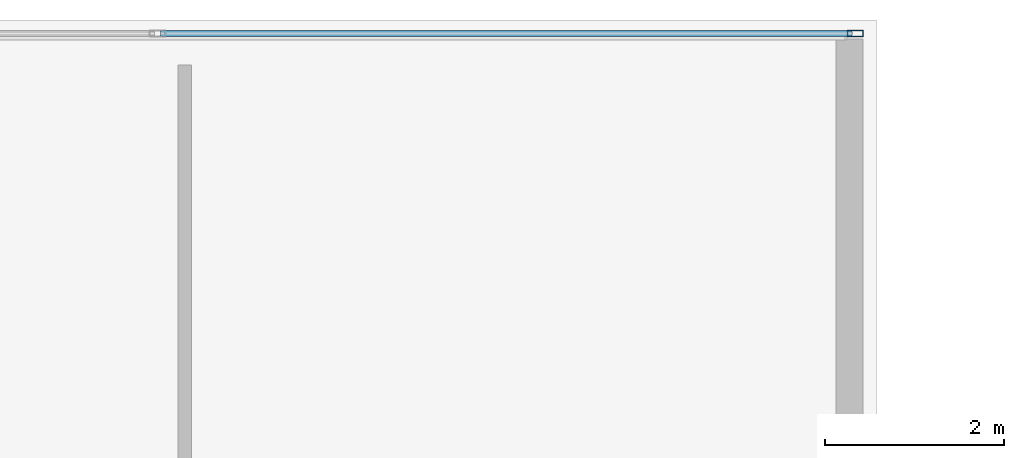
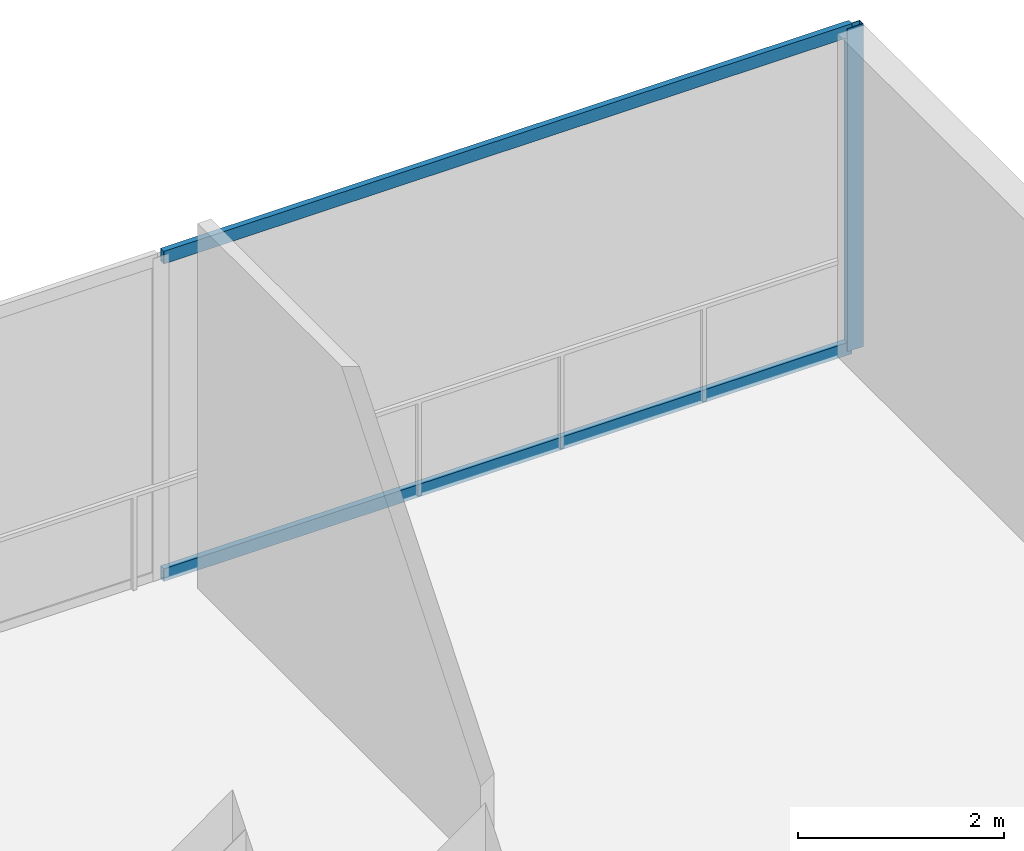
# One storey, part 6 of 15: 3 members, 1 element without a shape of its own.
"""IFC4 building model written with IfcOpenShell, lengths in metres."""

from ifc_helpers import new_model, si_unit, direction, frame, origin, origin_2d, place, context, subcontext, project, spatial, hollow_rectangle, extrude, source, transform, mapped, material, layer, layer_set, material_profile, profile_set, type_object, element, aggregate, save


model = new_model("IFC4")

# Units and contexts
model_context = context("Model", 3, precision=1e-05, world=origin(), true_north=direction((0.0, 1.0)))
body_context = subcontext(model_context, "Body", "Model", "MODEL_VIEW")
ifc_project = project(units=[si_unit("LENGTHUNIT", "METRE"), si_unit("AREAUNIT", "SQUARE_METRE"), si_unit("VOLUMEUNIT", "CUBIC_METRE"), si_unit("PLANEANGLEUNIT", "RADIAN"), si_unit("MASSUNIT", "GRAM", prefix="KILO")], contexts=[model_context])

# Site, building, storey
site_placement = place(None, origin())
site = spatial("IfcSite", under=ifc_project, at=site_placement, CompositionType="ELEMENT")
building_placement = place(site_placement, origin())
building = spatial("IfcBuilding", under=site, at=building_placement, Name="Sumidabori Civic Tower", CompositionType="ELEMENT")
storey_placement = place(building_placement, frame((0.0, 0.0, 14.300048828125)))
storey = spatial("IfcBuildingStorey", under=building, at=storey_placement, Name="L03", CompositionType="ELEMENT", Elevation=14.300048828125)

# Curtain wall, members
ifc_material = material(Name="Anodised Bronze Aluminium AW-6063-T6", Category="aluminium")
ifc_layer = layer(ifc_material, 0.179931640625, Name="Anodised Bronze Aluminium AW-6063-T6")
ifc_layer_set = layer_set([ifc_layer], Name="Anodised Bronze Aluminium AW-6063-T6")
curtain_wall_type = type_object("IfcCurtainWallType", Name="CW-SYS-1", PredefinedType="NOTDEFINED", material=ifc_layer_set)
curtain_wall_placement = place(storey_placement, origin())
curtain_wall = element("IfcCurtainWall", 1, at=curtain_wall_placement, inside=storey, type_object=curtain_wall_type, Name="Curtain Wall CW:L03:NORTH", PredefinedType="NOTDEFINED")
ifc_material_profile_1 = material_profile(ifc_material, hollow_rectangle(XDim=0.070068359375, YDim=0.179931640625, WallThickness=0.006103515625, at=origin_2d()), Name="ALU MULLION 180x70")
ifc_profile_set_1 = profile_set([ifc_material_profile_1], Name="Anodised Bronze Aluminium AW-6063-T6")
member_type_1 = type_object("IfcMemberType", Name="CW-MUL-180", PredefinedType="MULLION", material=ifc_profile_set_1)
shared_shape_1 = source(origin(), body_context, "Body", "SweptSolid", [
    extrude(hollow_rectangle(XDim=0.070068359375, YDim=0.179931640625, WallThickness=0.006103515625, at=origin_2d()), origin(), (0.0, 0.0, 1.0), 3.829833984375),
])
member_1_placement = place(storey_placement, frame((31.264892578125, 25.64990234375, 0.0), z_axis=(0.0, 0.0, 1.0), x_axis=(0.0, 1.0, 0.0)))
member_1 = element("IfcMember", 2, at=member_1_placement, type_object=member_type_1, Name="CW-1 mullion 9", PredefinedType="MULLION", context=body_context, shape_type="MappedRepresentation", body=[
    mapped(shared_shape_1, transform((0.0, 0.0, 0.0), x_axis=(1.0, 0.0, 0.0), y_axis=(0.0, 1.0, 0.0), z_axis=(0.0, 0.0, 1.0), scale=1.0)),
])
ifc_material_profile_2 = material_profile(ifc_material, hollow_rectangle(XDim=0.06494140625, YDim=0.14990234375, WallThickness=0.0048828125, at=origin_2d()), Name="ALU TRANSOM 150x65")
ifc_profile_set_2 = profile_set([ifc_material_profile_2], Name="Anodised Bronze Aluminium AW-6063-T6")
member_type_2 = type_object("IfcMemberType", Name="CW-TRN-150", PredefinedType="USERDEFINED", material=ifc_profile_set_2)
shared_shape_2 = source(origin(), body_context, "Body", "SweptSolid", [
    extrude(hollow_rectangle(XDim=0.06494140625, YDim=0.14990234375, WallThickness=0.0048828125, at=origin_2d()), origin(), (0.0, 0.0, 1.0), 7.719970703125),
])
member_2_placement = place(storey_placement, frame((23.510009765625, 25.64990234375, 0.032470703125), z_axis=(1.0, 0.0, 0.0), x_axis=(0.0, 1.0, 0.0)))
member_2 = element("IfcMember", 3, at=member_2_placement, type_object=member_type_2, Name="CW-1 transom 8.1", ObjectType="TRANSOM", PredefinedType="USERDEFINED", context=body_context, shape_type="MappedRepresentation", body=[
    mapped(shared_shape_2, transform((0.0, 0.0, 0.0), x_axis=(1.0, 0.0, 0.0), y_axis=(0.0, 1.0, 0.0), z_axis=(0.0, 0.0, 1.0), scale=1.0)),
])
member_3_placement = place(storey_placement, frame((23.510009765625, 25.64990234375, 3.79736328125), z_axis=(1.0, 0.0, 0.0), x_axis=(0.0, 1.0, 0.0)))
member_3 = element("IfcMember", 4, at=member_3_placement, type_object=member_type_2, Name="CW-1 transom 8.2", ObjectType="TRANSOM", PredefinedType="USERDEFINED", context=body_context, shape_type="MappedRepresentation", body=[
    mapped(shared_shape_2, transform((0.0, 0.0, 0.0), x_axis=(1.0, 0.0, 0.0), y_axis=(0.0, 1.0, 0.0), z_axis=(0.0, 0.0, 1.0), scale=1.0)),
])
aggregate(curtain_wall, [member_1, member_2, member_3])

save(model, "model.ifc")
